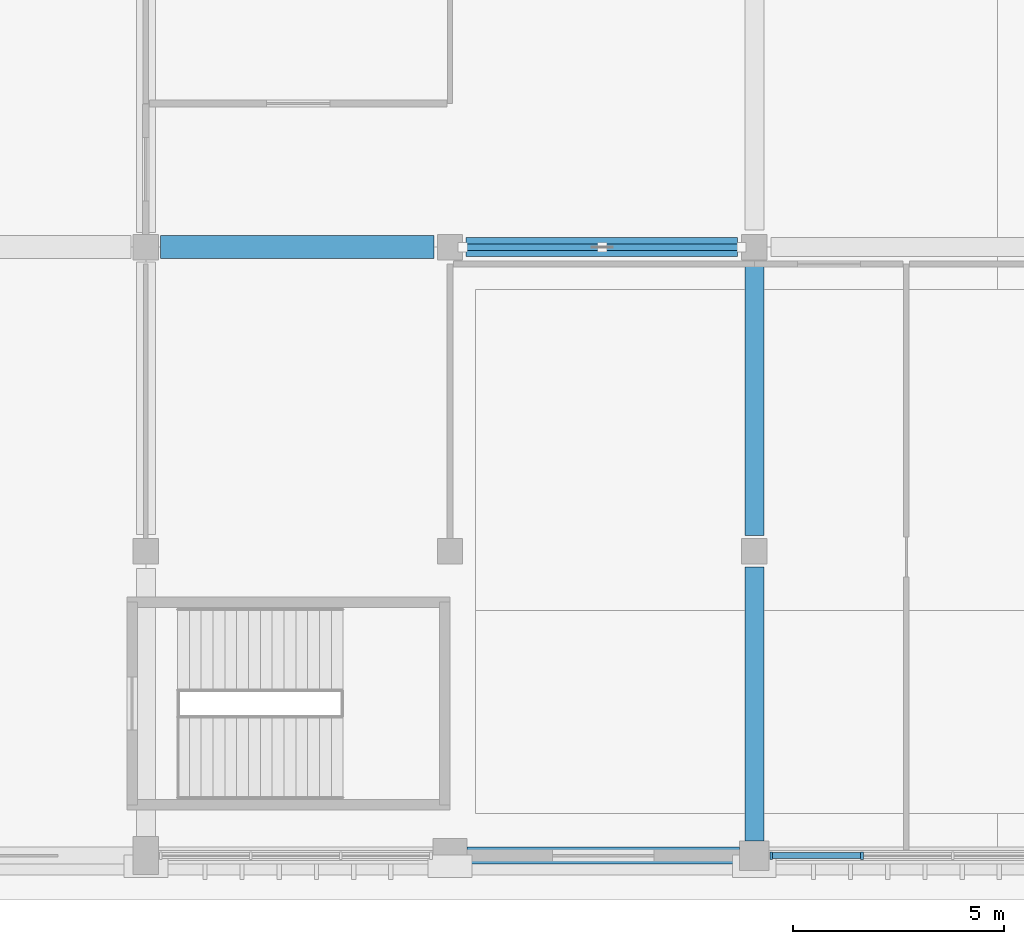
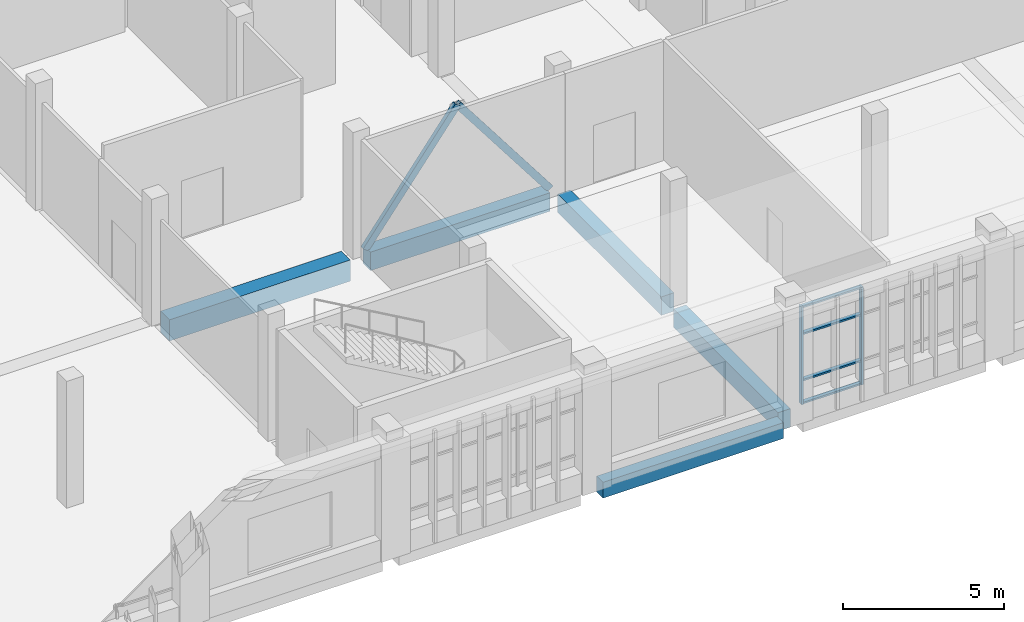
# One storey, part 17 of 82: 8 members, 5 beams, 1 element without a shape of its own.
"""IFC4 building model written with IfcOpenShell, lengths in metres."""

from ifc_helpers import new_model, si_unit, direction, frame, origin, origin_2d, place, context, subcontext, project, spatial, rectangle, hollow_rectangle, extrude, material, material_profile, profile_set, type_object, element, aggregate, save


model = new_model("IFC4")

# Units and contexts
model_context = context("Model", 3, precision=1e-05, world=origin(), true_north=direction((0.0, 1.0)))
body_context = subcontext(model_context, "Body", "Model", "MODEL_VIEW")
ifc_project = project(units=[si_unit("LENGTHUNIT", "METRE"), si_unit("AREAUNIT", "SQUARE_METRE"), si_unit("VOLUMEUNIT", "CUBIC_METRE"), si_unit("PLANEANGLEUNIT", "RADIAN"), si_unit("MASSUNIT", "GRAM", prefix="KILO")], contexts=[model_context])

# Site, building, storey
site_placement = place(None, origin())
site = spatial("IfcSite", under=ifc_project, at=site_placement, CompositionType="ELEMENT")
building_placement = place(site_placement, origin())
building = spatial("IfcBuilding", under=site, at=building_placement, Name="Sardonyx Promenade Sports Hall", CompositionType="ELEMENT")
storey_placement = place(building_placement, frame((0.0, 0.0, 11.199951171875)))
storey = spatial("IfcBuildingStorey", under=building, at=storey_placement, Name="L02", CompositionType="ELEMENT", Elevation=11.199951171875)

# Beams
ifc_material_1 = material(Name="Concrete C40/50", Category="concrete")
ifc_material_profile_1 = material_profile(ifc_material_1, rectangle(XDim=0.550048828125, YDim=0.800048828125, at=origin_2d()))
ifc_profile_set_1 = profile_set([ifc_material_profile_1], Name="Concrete C40/50")
beam_type_1 = type_object("IfcBeamType", Name="Bm_Girder_RC800", PredefinedType="BEAM", material=ifc_profile_set_1)
beam_1_placement = place(storey_placement, frame((14.75, 14.39990234375, -0.39990234375), z_axis=(1.0, 0.0, 0.0), x_axis=(0.0, 1.0, 0.0)))
element("IfcBeam", 1, at=beam_1_placement, inside=storey, type_object=beam_type_1, Name="Beam BG04 L02 #472", PredefinedType="BEAM", context=body_context, shape_type="SweptSolid", body=[
    extrude(rectangle(XDim=0.550048828125, YDim=0.800048828125, at=origin_2d()), origin(), (0.0, 0.0, 1.0), 6.47509765625),
])
ifc_material_2 = material(Name="Concrete C40/50", Category="concrete")
ifc_material_profile_2 = material_profile(ifc_material_2, rectangle(XDim=0.449951171875, YDim=0.699951171875, at=origin_2d()))
ifc_profile_set_2 = profile_set([ifc_material_profile_2], Name="Concrete C40/50")
beam_type_2 = type_object("IfcBeamType", Name="Bm_Primary_RC700", PredefinedType="BEAM", material=ifc_profile_set_2)
beam_2_placement = place(storey_placement, frame((21.97509765625, 14.39990234375, -0.349853515625), z_axis=(1.0, 0.0, 0.0), x_axis=(0.0, 1.0, 0.0)))
element("IfcBeam", 2, at=beam_2_placement, inside=storey, type_object=beam_type_2, Name="Beam BG01 L02 #473", PredefinedType="BEAM", context=body_context, shape_type="SweptSolid", body=[
    extrude(rectangle(XDim=0.449951171875, YDim=0.699951171875, at=origin_2d()), origin(), (0.0, 0.0, 1.0), 6.4248046875),
])
beam_3_placement = place(storey_placement, frame((28.800048828125, 0.35009765625, -0.349853515625), z_axis=(0.0, 1.0, 0.0), x_axis=(-1.0, 0.0, 0.0)))
element("IfcBeam", 3, at=beam_3_placement, inside=storey, type_object=beam_type_2, Name="Beam BG01 L02 #579", PredefinedType="BEAM", context=body_context, shape_type="SweptSolid", body=[
    extrude(rectangle(XDim=0.449951171875, YDim=0.699951171875, at=origin_2d()), origin(), (0.0, 0.0, 1.0), 6.474853515625),
])
beam_4_placement = place(storey_placement, frame((28.800048828125, 7.574951171875, -0.349853515625), z_axis=(0.0, 1.0, 0.0), x_axis=(-1.0, 0.0, 0.0)))
element("IfcBeam", 4, at=beam_4_placement, inside=storey, type_object=beam_type_2, Name="Beam BG01 L02 #580", PredefinedType="BEAM", context=body_context, shape_type="SweptSolid", body=[
    extrude(rectangle(XDim=0.449951171875, YDim=0.699951171875, at=origin_2d()), origin(), (0.0, 0.0, 1.0), 6.425048828125),
])
ifc_material_3 = material(Name="Concrete C40/50", Category="concrete")
ifc_material_profile_3 = material_profile(ifc_material_3, rectangle(XDim=0.39990234375, YDim=0.60009765625, at=origin_2d()))
ifc_profile_set_3 = profile_set([ifc_material_profile_3], Name="Concrete C40/50")
beam_type_3 = type_object("IfcBeamType", Name="Bm_Spandrel_RC600", PredefinedType="SPANDREL", material=ifc_profile_set_3)
beam_5_placement = place(storey_placement, frame((22.0, 0.0, -0.300048828125), z_axis=(1.0, 0.0, 0.0), x_axis=(0.0, 1.0, 0.0)))
element("IfcBeam", 5, at=beam_5_placement, inside=storey, type_object=beam_type_3, Name="Beam SPB1 L02 #450", PredefinedType="SPANDREL", context=body_context, shape_type="SweptSolid", body=[
    extrude(rectangle(XDim=0.39990234375, YDim=0.60009765625, at=origin_2d()), origin(), (0.0, 0.0, 1.0), 6.449951171875),
])

# Curtain wall, members
ifc_material_4 = material(Name="Aluminium 6063-T6", Category="aluminium")
curtain_wall_type = type_object("IfcCurtainWallType", Name="CW_South_L02_640", PredefinedType="USERDEFINED", material=ifc_material_4)
curtain_wall_placement = place(storey_placement, origin())
curtain_wall = element("IfcCurtainWall", 6, at=curtain_wall_placement, inside=storey, type_object=curtain_wall_type, Name="Curtain wall CW01 cw:L02:038", ObjectType="CURTAIN WALL", PredefinedType="USERDEFINED")
ifc_material_5 = material(Name="Aluminium 6063-T6", Category="aluminium")
ifc_material_profile_4 = material_profile(ifc_material_5, rectangle(XDim=0.06494140625, YDim=0.175048828125, at=origin_2d()))
ifc_profile_set_4 = profile_set([ifc_material_profile_4], Name="Aluminium 6063-T6")
member_type_1 = type_object("IfcMemberType", Name="CW_Mull_175", PredefinedType="MULLION", material=ifc_profile_set_4)
member_1_placement = place(storey_placement, frame((31.350830078125, 0.0, 0.35009765625), z_axis=(0.0, 0.0, 1.0), x_axis=(-1.0, 0.0, 0.0)))
member_1 = element("IfcMember", 7, at=member_1_placement, type_object=member_type_1, Name="Mullion CM02 cw:L02:038 #3", PredefinedType="MULLION", context=body_context, shape_type="SweptSolid", body=[
    extrude(rectangle(XDim=0.06494140625, YDim=0.175048828125, at=origin_2d()), origin(), (0.0, 0.0, 1.0), 3.699951171875),
])
member_2_placement = place(storey_placement, frame((29.202392578125, 0.0, 0.35009765625), z_axis=(0.0, 0.0, 1.0), x_axis=(-1.0, 0.0, 0.0)))
member_2 = element("IfcMember", 8, at=member_2_placement, type_object=member_type_1, Name="Mullion CM02 cw:L02:038 #4", PredefinedType="MULLION", context=body_context, shape_type="SweptSolid", body=[
    extrude(rectangle(XDim=0.06494140625, YDim=0.175048828125, at=origin_2d()), origin(), (0.0, 0.0, 1.0), 3.699951171875),
])
ifc_material_6 = material(Name="Aluminium 6063-T6", Category="aluminium")
ifc_material_profile_5 = material_profile(ifc_material_6, rectangle(XDim=0.06494140625, YDim=0.139892578125, at=origin_2d()))
ifc_profile_set_5 = profile_set([ifc_material_profile_5], Name="Aluminium 6063-T6")
member_type_2 = type_object("IfcMemberType", Name="CW_Tran_140", PredefinedType="USERDEFINED", material=ifc_profile_set_5)
member_3_placement = place(storey_placement, frame((31.318359375, 0.0, 0.382568359375), z_axis=(-1.0, 0.0, 0.0), x_axis=(0.0, 0.0, 1.0)))
member_3 = element("IfcMember", 9, at=member_3_placement, type_object=member_type_2, Name="Transom CT02 cw:L02:038 #9", ObjectType="TRANSOM", PredefinedType="USERDEFINED", context=body_context, shape_type="SweptSolid", body=[
    extrude(rectangle(XDim=0.06494140625, YDim=0.139892578125, at=origin_2d()), origin(), (0.0, 0.0, 1.0), 2.083251953125),
])
member_4_placement = place(storey_placement, frame((31.318359375, 0.0, 1.25), z_axis=(-1.0, 0.0, 0.0), x_axis=(0.0, 0.0, 1.0)))
member_4 = element("IfcMember", 10, at=member_4_placement, type_object=member_type_2, Name="Transom CT02 cw:L02:038 #10", ObjectType="TRANSOM", PredefinedType="USERDEFINED", context=body_context, shape_type="SweptSolid", body=[
    extrude(rectangle(XDim=0.06494140625, YDim=0.139892578125, at=origin_2d()), origin(), (0.0, 0.0, 1.0), 2.083251953125),
])
member_5_placement = place(storey_placement, frame((31.318359375, 0.0, 3.0), z_axis=(-1.0, 0.0, 0.0), x_axis=(0.0, 0.0, 1.0)))
member_5 = element("IfcMember", 11, at=member_5_placement, type_object=member_type_2, Name="Transom CT02 cw:L02:038 #11", ObjectType="TRANSOM", PredefinedType="USERDEFINED", context=body_context, shape_type="SweptSolid", body=[
    extrude(rectangle(XDim=0.06494140625, YDim=0.139892578125, at=origin_2d()), origin(), (0.0, 0.0, 1.0), 2.083251953125),
])
member_6_placement = place(storey_placement, frame((31.318359375, 0.0, 4.017578125), z_axis=(-1.0, 0.0, 0.0), x_axis=(0.0, 0.0, 1.0)))
member_6 = element("IfcMember", 12, at=member_6_placement, type_object=member_type_2, Name="Transom CT02 cw:L02:038 #12", ObjectType="TRANSOM", PredefinedType="USERDEFINED", context=body_context, shape_type="SweptSolid", body=[
    extrude(rectangle(XDim=0.06494140625, YDim=0.139892578125, at=origin_2d()), origin(), (0.0, 0.0, 1.0), 2.083251953125),
])
aggregate(curtain_wall, [member_1, member_2, member_3, member_4, member_5, member_6])

# Members
ifc_material_7 = material(Name="Steel S355JR", Category="steel")
ifc_material_profile_6 = material_profile(ifc_material_7, hollow_rectangle(XDim=0.14990234375, YDim=0.25, WallThickness=0.010009765625, at=origin_2d()))
ifc_profile_set_6 = profile_set([ifc_material_profile_6], Name="Steel S355JR")
member_type_3 = type_object("IfcMemberType", Name="Mbr_Brace_RHS250_Int", PredefinedType="BRACE", material=ifc_profile_set_6)
for number, where, z_axis, x_axis, name in (
    (13, (21.89990234375, 14.39990234375, 0.02001953125), (0.606152648807, 0.0, 0.795348330195), (0.0, 1.0, 0.0), "Chevron brace BR03 BF7 L02 leg 1"),
    (14, (28.5, 14.39990234375, 0.02001953125), (-0.606152648807, 0.0, 0.795348330195), (0.0, -1.0, 0.0), "Chevron brace BR03 BF7 L02 leg 2"),
):
    element("IfcMember", number, at=place(storey_placement, frame(where, z_axis=z_axis, x_axis=x_axis)), inside=storey, type_object=member_type_3, Name=name, PredefinedType="BRACE", context=body_context, shape_type="SweptSolid", body=[
        extrude(hollow_rectangle(XDim=0.14990234375, YDim=0.25, WallThickness=0.010009765625, at=origin_2d()), origin(), (0.0, 0.0, 1.0), 5.4443359375),
    ])

save(model, "model.ifc")
